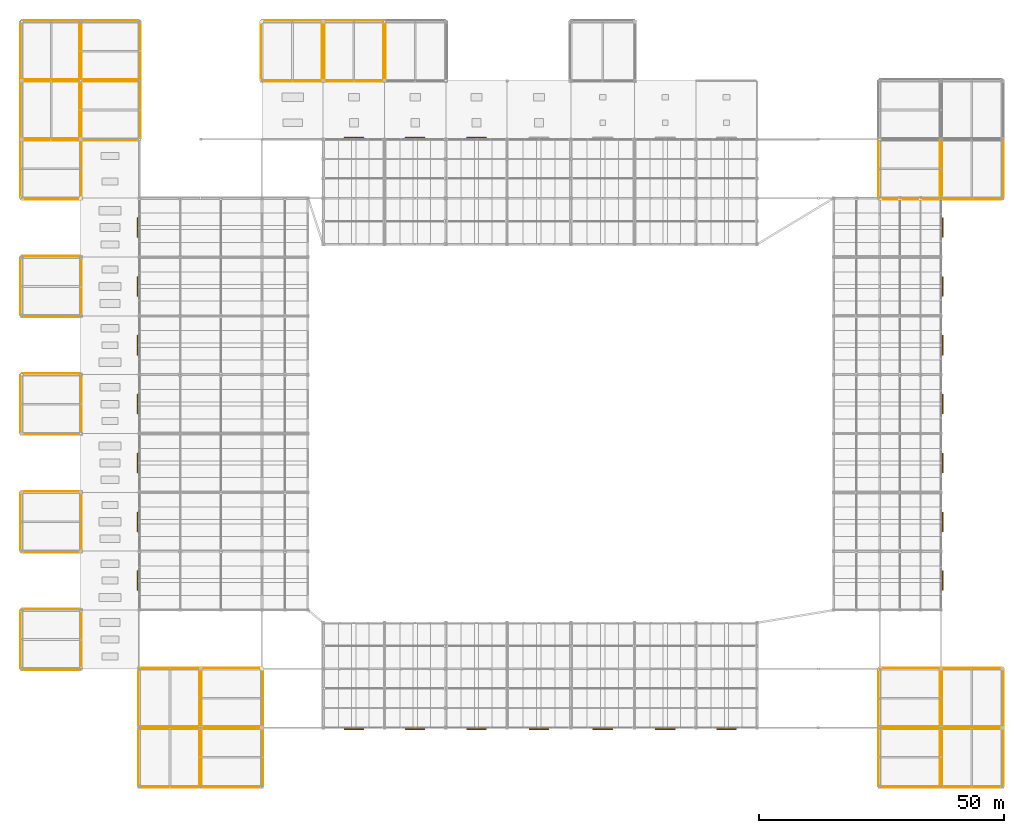
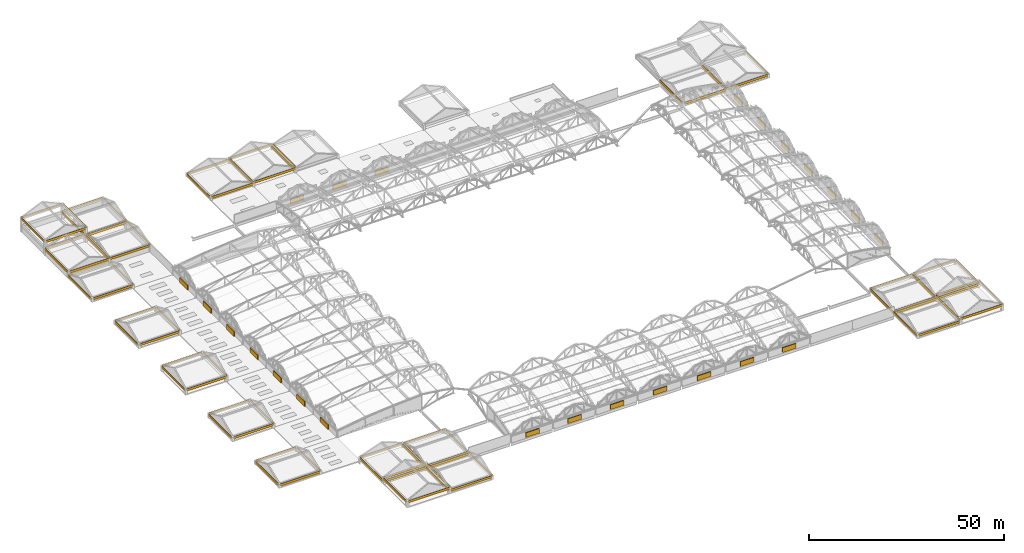
# One storey, part 116 of 117: 83 coverings, 24 shading devices.
"""IFC4 building model written with IfcOpenShell, lengths in metres."""

from ifc_helpers import new_model, si_unit, direction, frame, origin, origin_2d, place, context, subcontext, project, spatial, rectangle, extrude, material, layer, layer_set, type_object, element, save


model = new_model("IFC4")

# Units and contexts
model_context = context("Model", 3, precision=1e-05, world=origin(), true_north=direction((0.0, 1.0)))
body_context = subcontext(model_context, "Body", "Model", "MODEL_VIEW")
ifc_project = project(units=[si_unit("LENGTHUNIT", "METRE"), si_unit("AREAUNIT", "SQUARE_METRE"), si_unit("VOLUMEUNIT", "CUBIC_METRE"), si_unit("PLANEANGLEUNIT", "RADIAN"), si_unit("MASSUNIT", "GRAM", prefix="KILO")], contexts=[model_context])

# Site, building, storey
site_placement = place(None, origin())
site = spatial("IfcSite", under=ifc_project, at=site_placement, CompositionType="ELEMENT")
building_placement = place(site_placement, origin())
building = spatial("IfcBuilding", under=site, at=building_placement, Name="Kazenohara Klinker Stadium", CompositionType="ELEMENT")
storey_placement = place(building_placement, frame((0.0, 0.0, 31.199951171875)))
storey = spatial("IfcBuildingStorey", under=building, at=storey_placement, Name="RF", CompositionType="ELEMENT", Elevation=31.199951171875)

# Coverings
ifc_material_1 = material(Name="Patina copper eaves fascia and acoustic baffle cladding", Category="metal")
ifc_layer = layer(ifc_material_1, 0.10009765625)
ifc_layer_set = layer_set([ifc_layer], Name="Patina copper eaves fascia and acoustic baffle cladding")
covering_type = type_object("IfcCoveringType", Name="COV-CLAD-01", PredefinedType="CLADDING", material=ifc_layer_set)
for number, where, z_axis, x_axis, name in (
    (1, (6.0, 155.780029296875, 3.89013671875), (0.0, 0.0, 1.0), (1.0, 0.0, 0.0), "Patina copper turret eave fascia CL-C1 GT1-NW-S"),
    (2, (6.0, 168.219970703125, 3.89013671875), (0.0, 0.0, 1.0), (1.0, 0.0, 0.0), "Patina copper turret eave fascia CL-C1 GT1-NW-N"),
):
    element("IfcCovering", number, at=place(storey_placement, frame(where, z_axis=z_axis, x_axis=x_axis)), inside=storey, type_object=covering_type, Name=name, PredefinedType="CLADDING", context=body_context, shape_type="SweptSolid", body=[
        extrude(rectangle(XDim=11.800048828125, YDim=0.10009765625, at=origin_2d()), origin(), (0.0, 0.0, 1.0), 0.719970703125),
    ])
for number, where, z_axis, x_axis, name in (
    (3, (-0.219970703125, 162.0, 3.89013671875), (0.0, 0.0, 1.0), (1.0, 0.0, 0.0), "Patina copper turret eave fascia CL-C1 GT1-NW-W"),
    (4, (12.219970703125, 162.0, 3.89013671875), (0.0, 0.0, 1.0), (1.0, 0.0, 0.0), "Patina copper turret eave fascia CL-C1 GT1-NW-E"),
):
    element("IfcCovering", number, at=place(storey_placement, frame(where, z_axis=z_axis, x_axis=x_axis)), inside=storey, type_object=covering_type, Name=name, PredefinedType="CLADDING", context=body_context, shape_type="SweptSolid", body=[
        extrude(rectangle(XDim=0.10009765625, YDim=11.800048828125, at=origin_2d()), origin(), (0.0, 0.0, 1.0), 0.719970703125),
    ])
for number, where, z_axis, x_axis, name in (
    (5, (18.0, 155.780029296875, 1.58984375), (0.0, 0.0, 1.0), (1.0, 0.0, 0.0), "Patina copper turret eave fascia CL-C1 GT1-NE-S"),
    (6, (18.0, 168.219970703125, 1.58984375), (0.0, 0.0, 1.0), (1.0, 0.0, 0.0), "Patina copper turret eave fascia CL-C1 GT1-NE-N"),
):
    element("IfcCovering", number, at=place(storey_placement, frame(where, z_axis=z_axis, x_axis=x_axis)), inside=storey, type_object=covering_type, Name=name, PredefinedType="CLADDING", context=body_context, shape_type="SweptSolid", body=[
        extrude(rectangle(XDim=11.800048828125, YDim=0.10009765625, at=origin_2d()), origin(), (0.0, 0.0, 1.0), 0.719970703125),
    ])
for number, where, z_axis, x_axis, name in (
    (7, (11.780029296875, 162.0, 1.58984375), (0.0, 0.0, 1.0), (1.0, 0.0, 0.0), "Patina copper turret eave fascia CL-C1 GT1-NE-W"),
    (8, (24.219970703125, 162.0, 1.58984375), (0.0, 0.0, 1.0), (1.0, 0.0, 0.0), "Patina copper turret eave fascia CL-C1 GT1-NE-E"),
):
    element("IfcCovering", number, at=place(storey_placement, frame(where, z_axis=z_axis, x_axis=x_axis)), inside=storey, type_object=covering_type, Name=name, PredefinedType="CLADDING", context=body_context, shape_type="SweptSolid", body=[
        extrude(rectangle(XDim=0.10009765625, YDim=11.800048828125, at=origin_2d()), origin(), (0.0, 0.0, 1.0), 0.719970703125),
    ])
for number, where, z_axis, x_axis, name in (
    (9, (6.0, 143.780029296875, 1.58984375), (0.0, 0.0, 1.0), (1.0, 0.0, 0.0), "Patina copper turret eave fascia CL-C1 GT1-SW-S"),
    (10, (6.0, 156.219970703125, 1.58984375), (0.0, 0.0, 1.0), (1.0, 0.0, 0.0), "Patina copper turret eave fascia CL-C1 GT1-SW-N"),
):
    element("IfcCovering", number, at=place(storey_placement, frame(where, z_axis=z_axis, x_axis=x_axis)), inside=storey, type_object=covering_type, Name=name, PredefinedType="CLADDING", context=body_context, shape_type="SweptSolid", body=[
        extrude(rectangle(XDim=11.800048828125, YDim=0.10009765625, at=origin_2d()), origin(), (0.0, 0.0, 1.0), 0.719970703125),
    ])
for number, where, z_axis, x_axis, name in (
    (11, (-0.219970703125, 150.0, 1.58984375), (0.0, 0.0, 1.0), (1.0, 0.0, 0.0), "Patina copper turret eave fascia CL-C1 GT1-SW-W"),
    (12, (12.219970703125, 150.0, 1.58984375), (0.0, 0.0, 1.0), (1.0, 0.0, 0.0), "Patina copper turret eave fascia CL-C1 GT1-SW-E"),
):
    element("IfcCovering", number, at=place(storey_placement, frame(where, z_axis=z_axis, x_axis=x_axis)), inside=storey, type_object=covering_type, Name=name, PredefinedType="CLADDING", context=body_context, shape_type="SweptSolid", body=[
        extrude(rectangle(XDim=0.10009765625, YDim=11.800048828125, at=origin_2d()), origin(), (0.0, 0.0, 1.0), 0.719970703125),
    ])
for number, where, z_axis, x_axis, name in (
    (13, (18.0, 143.780029296875, 1.58984375), (0.0, 0.0, 1.0), (1.0, 0.0, 0.0), "Patina copper turret eave fascia CL-C1 GT1-SE-S"),
    (14, (18.0, 156.219970703125, 1.58984375), (0.0, 0.0, 1.0), (1.0, 0.0, 0.0), "Patina copper turret eave fascia CL-C1 GT1-SE-N"),
):
    element("IfcCovering", number, at=place(storey_placement, frame(where, z_axis=z_axis, x_axis=x_axis)), inside=storey, type_object=covering_type, Name=name, PredefinedType="CLADDING", context=body_context, shape_type="SweptSolid", body=[
        extrude(rectangle(XDim=11.800048828125, YDim=0.10009765625, at=origin_2d()), origin(), (0.0, 0.0, 1.0), 0.719970703125),
    ])
for number, where, z_axis, x_axis, name in (
    (15, (11.780029296875, 150.0, 1.58984375), (0.0, 0.0, 1.0), (1.0, 0.0, 0.0), "Patina copper turret eave fascia CL-C1 GT1-SE-W"),
    (16, (24.219970703125, 150.0, 1.58984375), (0.0, 0.0, 1.0), (1.0, 0.0, 0.0), "Patina copper turret eave fascia CL-C1 GT1-SE-E"),
):
    element("IfcCovering", number, at=place(storey_placement, frame(where, z_axis=z_axis, x_axis=x_axis)), inside=storey, type_object=covering_type, Name=name, PredefinedType="CLADDING", context=body_context, shape_type="SweptSolid", body=[
        extrude(rectangle(XDim=0.10009765625, YDim=11.800048828125, at=origin_2d()), origin(), (0.0, 0.0, 1.0), 0.719970703125),
    ])
for number, where, z_axis, x_axis, name in (
    (17, (30.25, 11.780029296875, 1.39013671875), (0.0, 0.0, 1.0), (1.0, 0.0, 0.0), "Patina copper turret eave fascia CL-C1 GT2-SW-S"),
    (18, (30.25, 24.219970703125, 1.39013671875), (0.0, 0.0, 1.0), (1.0, 0.0, 0.0), "Patina copper turret eave fascia CL-C1 GT2-SW-N"),
):
    element("IfcCovering", number, at=place(storey_placement, frame(where, z_axis=z_axis, x_axis=x_axis)), inside=storey, type_object=covering_type, Name=name, PredefinedType="CLADDING", context=body_context, shape_type="SweptSolid", body=[
        extrude(rectangle(XDim=12.300048828125, YDim=0.10009765625, at=origin_2d()), origin(), (0.0, 0.0, 1.0), 0.719970703125),
    ])
for number, where, z_axis, x_axis, name in (
    (19, (23.780029296875, 18.0, 1.39013671875), (0.0, 0.0, 1.0), (1.0, 0.0, 0.0), "Patina copper turret eave fascia CL-C1 GT2-SW-W"),
    (20, (36.719970703125, 18.0, 1.39013671875), (0.0, 0.0, 1.0), (1.0, 0.0, 0.0), "Patina copper turret eave fascia CL-C1 GT2-SW-E"),
):
    element("IfcCovering", number, at=place(storey_placement, frame(where, z_axis=z_axis, x_axis=x_axis)), inside=storey, type_object=covering_type, Name=name, PredefinedType="CLADDING", context=body_context, shape_type="SweptSolid", body=[
        extrude(rectangle(XDim=0.10009765625, YDim=11.800048828125, at=origin_2d()), origin(), (0.0, 0.0, 1.0), 0.719970703125),
    ])
for number, where, z_axis, x_axis, name in (
    (21, (42.75, 11.780029296875, 0.58984375), (0.0, 0.0, 1.0), (1.0, 0.0, 0.0), "Patina copper turret eave fascia CL-C1 GT2-SE-S"),
    (22, (42.75, 24.219970703125, 0.58984375), (0.0, 0.0, 1.0), (1.0, 0.0, 0.0), "Patina copper turret eave fascia CL-C1 GT2-SE-N"),
):
    element("IfcCovering", number, at=place(storey_placement, frame(where, z_axis=z_axis, x_axis=x_axis)), inside=storey, type_object=covering_type, Name=name, PredefinedType="CLADDING", context=body_context, shape_type="SweptSolid", body=[
        extrude(rectangle(XDim=12.300048828125, YDim=0.10009765625, at=origin_2d()), origin(), (0.0, 0.0, 1.0), 0.719970703125),
    ])
for number, where, z_axis, x_axis, name in (
    (23, (36.280029296875, 18.0, 0.58984375), (0.0, 0.0, 1.0), (1.0, 0.0, 0.0), "Patina copper turret eave fascia CL-C1 GT2-SE-W"),
    (24, (49.219970703125, 18.0, 0.58984375), (0.0, 0.0, 1.0), (1.0, 0.0, 0.0), "Patina copper turret eave fascia CL-C1 GT2-SE-E"),
):
    element("IfcCovering", number, at=place(storey_placement, frame(where, z_axis=z_axis, x_axis=x_axis)), inside=storey, type_object=covering_type, Name=name, PredefinedType="CLADDING", context=body_context, shape_type="SweptSolid", body=[
        extrude(rectangle(XDim=0.10009765625, YDim=11.800048828125, at=origin_2d()), origin(), (0.0, 0.0, 1.0), 0.719970703125),
    ])
for number, where, z_axis, x_axis, name in (
    (25, (30.25, 23.780029296875, 0.58984375), (0.0, 0.0, 1.0), (1.0, 0.0, 0.0), "Patina copper turret eave fascia CL-C1 GT2-NW-S"),
    (26, (30.25, 36.219970703125, 0.58984375), (0.0, 0.0, 1.0), (1.0, 0.0, 0.0), "Patina copper turret eave fascia CL-C1 GT2-NW-N"),
):
    element("IfcCovering", number, at=place(storey_placement, frame(where, z_axis=z_axis, x_axis=x_axis)), inside=storey, type_object=covering_type, Name=name, PredefinedType="CLADDING", context=body_context, shape_type="SweptSolid", body=[
        extrude(rectangle(XDim=12.300048828125, YDim=0.10009765625, at=origin_2d()), origin(), (0.0, 0.0, 1.0), 0.719970703125),
    ])
for number, where, z_axis, x_axis, name in (
    (27, (23.780029296875, 30.0, 0.58984375), (0.0, 0.0, 1.0), (1.0, 0.0, 0.0), "Patina copper turret eave fascia CL-C1 GT2-NW-W"),
    (28, (36.719970703125, 30.0, 0.58984375), (0.0, 0.0, 1.0), (1.0, 0.0, 0.0), "Patina copper turret eave fascia CL-C1 GT2-NW-E"),
):
    element("IfcCovering", number, at=place(storey_placement, frame(where, z_axis=z_axis, x_axis=x_axis)), inside=storey, type_object=covering_type, Name=name, PredefinedType="CLADDING", context=body_context, shape_type="SweptSolid", body=[
        extrude(rectangle(XDim=0.10009765625, YDim=11.800048828125, at=origin_2d()), origin(), (0.0, 0.0, 1.0), 0.719970703125),
    ])
for number, where, z_axis, x_axis, name in (
    (29, (42.75, 23.780029296875, 0.39013671875), (0.0, 0.0, 1.0), (1.0, 0.0, 0.0), "Patina copper turret eave fascia CL-C1 GT2-NE-S"),
    (30, (42.75, 36.219970703125, 0.39013671875), (0.0, 0.0, 1.0), (1.0, 0.0, 0.0), "Patina copper turret eave fascia CL-C1 GT2-NE-N"),
):
    element("IfcCovering", number, at=place(storey_placement, frame(where, z_axis=z_axis, x_axis=x_axis)), inside=storey, type_object=covering_type, Name=name, PredefinedType="CLADDING", context=body_context, shape_type="SweptSolid", body=[
        extrude(rectangle(XDim=12.300048828125, YDim=0.10009765625, at=origin_2d()), origin(), (0.0, 0.0, 1.0), 0.719970703125),
    ])
for number, where, z_axis, x_axis, name in (
    (31, (36.280029296875, 30.0, 0.39013671875), (0.0, 0.0, 1.0), (1.0, 0.0, 0.0), "Patina copper turret eave fascia CL-C1 GT2-NE-W"),
    (32, (49.219970703125, 30.0, 0.39013671875), (0.0, 0.0, 1.0), (1.0, 0.0, 0.0), "Patina copper turret eave fascia CL-C1 GT2-NE-E"),
):
    element("IfcCovering", number, at=place(storey_placement, frame(where, z_axis=z_axis, x_axis=x_axis)), inside=storey, type_object=covering_type, Name=name, PredefinedType="CLADDING", context=body_context, shape_type="SweptSolid", body=[
        extrude(rectangle(XDim=0.10009765625, YDim=11.800048828125, at=origin_2d()), origin(), (0.0, 0.0, 1.0), 0.719970703125),
    ])
covering_1_placement = place(storey_placement, frame((193.75, 131.780029296875, 0.58984375), z_axis=(0.0, 0.0, 1.0), x_axis=(1.0, 0.0, 0.0)))
element("IfcCovering", 33, at=covering_1_placement, inside=storey, type_object=covering_type, Name="Patina copper turret eave fascia CL-C1 GT3-SE-S", PredefinedType="CLADDING", context=body_context, shape_type="SweptSolid", body=[
    extrude(rectangle(XDim=12.300048828125, YDim=0.10009765625, at=origin_2d()), origin(), (0.0, 0.0, 1.0), 0.719970703125),
])
for number, where, z_axis, x_axis, name in (
    (34, (187.280029296875, 138.0, 0.58984375), (0.0, 0.0, 1.0), (1.0, 0.0, 0.0), "Patina copper turret eave fascia CL-C1 GT3-SE-W"),
    (35, (200.219970703125, 138.0, 0.58984375), (0.0, 0.0, 1.0), (1.0, 0.0, 0.0), "Patina copper turret eave fascia CL-C1 GT3-SE-E"),
):
    element("IfcCovering", number, at=place(storey_placement, frame(where, z_axis=z_axis, x_axis=x_axis)), inside=storey, type_object=covering_type, Name=name, PredefinedType="CLADDING", context=body_context, shape_type="SweptSolid", body=[
        extrude(rectangle(XDim=0.10009765625, YDim=11.800048828125, at=origin_2d()), origin(), (0.0, 0.0, 1.0), 0.719970703125),
    ])
covering_2_placement = place(storey_placement, frame((181.25, 131.780029296875, 0.39013671875), z_axis=(0.0, 0.0, 1.0), x_axis=(1.0, 0.0, 0.0)))
element("IfcCovering", 36, at=covering_2_placement, inside=storey, type_object=covering_type, Name="Patina copper turret eave fascia CL-C1 GT3-SW-S", PredefinedType="CLADDING", context=body_context, shape_type="SweptSolid", body=[
    extrude(rectangle(XDim=12.300048828125, YDim=0.10009765625, at=origin_2d()), origin(), (0.0, 0.0, 1.0), 0.719970703125),
])
for number, where, z_axis, x_axis, name in (
    (37, (174.780029296875, 138.0, 0.39013671875), (0.0, 0.0, 1.0), (1.0, 0.0, 0.0), "Patina copper turret eave fascia CL-C1 GT3-SW-W"),
    (38, (187.719970703125, 138.0, 0.39013671875), (0.0, 0.0, 1.0), (1.0, 0.0, 0.0), "Patina copper turret eave fascia CL-C1 GT3-SW-E"),
):
    element("IfcCovering", number, at=place(storey_placement, frame(where, z_axis=z_axis, x_axis=x_axis)), inside=storey, type_object=covering_type, Name=name, PredefinedType="CLADDING", context=body_context, shape_type="SweptSolid", body=[
        extrude(rectangle(XDim=0.10009765625, YDim=11.800048828125, at=origin_2d()), origin(), (0.0, 0.0, 1.0), 0.719970703125),
    ])
for number, where, z_axis, x_axis, name in (
    (39, (193.75, 11.780029296875, 1.39013671875), (0.0, 0.0, 1.0), (1.0, 0.0, 0.0), "Patina copper turret eave fascia CL-C1 GT4-SE-S"),
    (40, (193.75, 24.219970703125, 1.39013671875), (0.0, 0.0, 1.0), (1.0, 0.0, 0.0), "Patina copper turret eave fascia CL-C1 GT4-SE-N"),
):
    element("IfcCovering", number, at=place(storey_placement, frame(where, z_axis=z_axis, x_axis=x_axis)), inside=storey, type_object=covering_type, Name=name, PredefinedType="CLADDING", context=body_context, shape_type="SweptSolid", body=[
        extrude(rectangle(XDim=12.300048828125, YDim=0.10009765625, at=origin_2d()), origin(), (0.0, 0.0, 1.0), 0.719970703125),
    ])
for number, where, z_axis, x_axis, name in (
    (41, (187.280029296875, 18.0, 1.39013671875), (0.0, 0.0, 1.0), (1.0, 0.0, 0.0), "Patina copper turret eave fascia CL-C1 GT4-SE-W"),
    (42, (200.219970703125, 18.0, 1.39013671875), (0.0, 0.0, 1.0), (1.0, 0.0, 0.0), "Patina copper turret eave fascia CL-C1 GT4-SE-E"),
):
    element("IfcCovering", number, at=place(storey_placement, frame(where, z_axis=z_axis, x_axis=x_axis)), inside=storey, type_object=covering_type, Name=name, PredefinedType="CLADDING", context=body_context, shape_type="SweptSolid", body=[
        extrude(rectangle(XDim=0.10009765625, YDim=11.800048828125, at=origin_2d()), origin(), (0.0, 0.0, 1.0), 0.719970703125),
    ])
for number, where, z_axis, x_axis, name in (
    (43, (181.25, 11.780029296875, 0.58984375), (0.0, 0.0, 1.0), (1.0, 0.0, 0.0), "Patina copper turret eave fascia CL-C1 GT4-SW-S"),
    (44, (181.25, 24.219970703125, 0.58984375), (0.0, 0.0, 1.0), (1.0, 0.0, 0.0), "Patina copper turret eave fascia CL-C1 GT4-SW-N"),
):
    element("IfcCovering", number, at=place(storey_placement, frame(where, z_axis=z_axis, x_axis=x_axis)), inside=storey, type_object=covering_type, Name=name, PredefinedType="CLADDING", context=body_context, shape_type="SweptSolid", body=[
        extrude(rectangle(XDim=12.300048828125, YDim=0.10009765625, at=origin_2d()), origin(), (0.0, 0.0, 1.0), 0.719970703125),
    ])
for number, where, z_axis, x_axis, name in (
    (45, (174.780029296875, 18.0, 0.58984375), (0.0, 0.0, 1.0), (1.0, 0.0, 0.0), "Patina copper turret eave fascia CL-C1 GT4-SW-W"),
    (46, (187.719970703125, 18.0, 0.58984375), (0.0, 0.0, 1.0), (1.0, 0.0, 0.0), "Patina copper turret eave fascia CL-C1 GT4-SW-E"),
):
    element("IfcCovering", number, at=place(storey_placement, frame(where, z_axis=z_axis, x_axis=x_axis)), inside=storey, type_object=covering_type, Name=name, PredefinedType="CLADDING", context=body_context, shape_type="SweptSolid", body=[
        extrude(rectangle(XDim=0.10009765625, YDim=11.800048828125, at=origin_2d()), origin(), (0.0, 0.0, 1.0), 0.719970703125),
    ])
for number, where, z_axis, x_axis, name in (
    (47, (193.75, 23.780029296875, 0.58984375), (0.0, 0.0, 1.0), (1.0, 0.0, 0.0), "Patina copper turret eave fascia CL-C1 GT4-NE-S"),
    (48, (193.75, 36.219970703125, 0.58984375), (0.0, 0.0, 1.0), (1.0, 0.0, 0.0), "Patina copper turret eave fascia CL-C1 GT4-NE-N"),
):
    element("IfcCovering", number, at=place(storey_placement, frame(where, z_axis=z_axis, x_axis=x_axis)), inside=storey, type_object=covering_type, Name=name, PredefinedType="CLADDING", context=body_context, shape_type="SweptSolid", body=[
        extrude(rectangle(XDim=12.300048828125, YDim=0.10009765625, at=origin_2d()), origin(), (0.0, 0.0, 1.0), 0.719970703125),
    ])
for number, where, z_axis, x_axis, name in (
    (49, (187.280029296875, 30.0, 0.58984375), (0.0, 0.0, 1.0), (1.0, 0.0, 0.0), "Patina copper turret eave fascia CL-C1 GT4-NE-W"),
    (50, (200.219970703125, 30.0, 0.58984375), (0.0, 0.0, 1.0), (1.0, 0.0, 0.0), "Patina copper turret eave fascia CL-C1 GT4-NE-E"),
):
    element("IfcCovering", number, at=place(storey_placement, frame(where, z_axis=z_axis, x_axis=x_axis)), inside=storey, type_object=covering_type, Name=name, PredefinedType="CLADDING", context=body_context, shape_type="SweptSolid", body=[
        extrude(rectangle(XDim=0.10009765625, YDim=11.800048828125, at=origin_2d()), origin(), (0.0, 0.0, 1.0), 0.719970703125),
    ])
for number, where, z_axis, x_axis, name in (
    (51, (181.25, 23.780029296875, 0.39013671875), (0.0, 0.0, 1.0), (1.0, 0.0, 0.0), "Patina copper turret eave fascia CL-C1 GT4-NW-S"),
    (52, (181.25, 36.219970703125, 0.39013671875), (0.0, 0.0, 1.0), (1.0, 0.0, 0.0), "Patina copper turret eave fascia CL-C1 GT4-NW-N"),
):
    element("IfcCovering", number, at=place(storey_placement, frame(where, z_axis=z_axis, x_axis=x_axis)), inside=storey, type_object=covering_type, Name=name, PredefinedType="CLADDING", context=body_context, shape_type="SweptSolid", body=[
        extrude(rectangle(XDim=12.300048828125, YDim=0.10009765625, at=origin_2d()), origin(), (0.0, 0.0, 1.0), 0.719970703125),
    ])
for number, where, z_axis, x_axis, name in (
    (53, (174.780029296875, 30.0, 0.39013671875), (0.0, 0.0, 1.0), (1.0, 0.0, 0.0), "Patina copper turret eave fascia CL-C1 GT4-NW-W"),
    (54, (187.719970703125, 30.0, 0.39013671875), (0.0, 0.0, 1.0), (1.0, 0.0, 0.0), "Patina copper turret eave fascia CL-C1 GT4-NW-E"),
):
    element("IfcCovering", number, at=place(storey_placement, frame(where, z_axis=z_axis, x_axis=x_axis)), inside=storey, type_object=covering_type, Name=name, PredefinedType="CLADDING", context=body_context, shape_type="SweptSolid", body=[
        extrude(rectangle(XDim=0.10009765625, YDim=11.800048828125, at=origin_2d()), origin(), (0.0, 0.0, 1.0), 0.719970703125),
    ])
for number, where, z_axis, x_axis, name in (
    (55, (6.0, 35.780029296875, 0.490234375), (0.0, 0.0, 1.0), (1.0, 0.0, 0.0), "Patina copper turret eave fascia CL-C1 WBST-03-S"),
    (56, (6.0, 48.219970703125, 0.490234375), (0.0, 0.0, 1.0), (1.0, 0.0, 0.0), "Patina copper turret eave fascia CL-C1 WBST-03-N"),
):
    element("IfcCovering", number, at=place(storey_placement, frame(where, z_axis=z_axis, x_axis=x_axis)), inside=storey, type_object=covering_type, Name=name, PredefinedType="CLADDING", context=body_context, shape_type="SweptSolid", body=[
        extrude(rectangle(XDim=11.800048828125, YDim=0.10009765625, at=origin_2d()), origin(), (0.0, 0.0, 1.0), 0.719970703125),
    ])
for number, where, z_axis, x_axis, name in (
    (57, (-0.219970703125, 42.0, 0.490234375), (0.0, 0.0, 1.0), (1.0, 0.0, 0.0), "Patina copper turret eave fascia CL-C1 WBST-03-W"),
    (58, (12.219970703125, 42.0, 0.490234375), (0.0, 0.0, 1.0), (1.0, 0.0, 0.0), "Patina copper turret eave fascia CL-C1 WBST-03-E"),
):
    element("IfcCovering", number, at=place(storey_placement, frame(where, z_axis=z_axis, x_axis=x_axis)), inside=storey, type_object=covering_type, Name=name, PredefinedType="CLADDING", context=body_context, shape_type="SweptSolid", body=[
        extrude(rectangle(XDim=0.10009765625, YDim=11.800048828125, at=origin_2d()), origin(), (0.0, 0.0, 1.0), 0.719970703125),
    ])
for number, where, z_axis, x_axis, name in (
    (59, (6.0, 59.780029296875, 0.68994140625), (0.0, 0.0, 1.0), (1.0, 0.0, 0.0), "Patina copper turret eave fascia CL-C1 WBST-05-S"),
    (60, (6.0, 72.219970703125, 0.68994140625), (0.0, 0.0, 1.0), (1.0, 0.0, 0.0), "Patina copper turret eave fascia CL-C1 WBST-05-N"),
):
    element("IfcCovering", number, at=place(storey_placement, frame(where, z_axis=z_axis, x_axis=x_axis)), inside=storey, type_object=covering_type, Name=name, PredefinedType="CLADDING", context=body_context, shape_type="SweptSolid", body=[
        extrude(rectangle(XDim=11.800048828125, YDim=0.10009765625, at=origin_2d()), origin(), (0.0, 0.0, 1.0), 0.719970703125),
    ])
for number, where, z_axis, x_axis, name in (
    (61, (-0.219970703125, 66.0, 0.68994140625), (0.0, 0.0, 1.0), (1.0, 0.0, 0.0), "Patina copper turret eave fascia CL-C1 WBST-05-W"),
    (62, (12.219970703125, 66.0, 0.68994140625), (0.0, 0.0, 1.0), (1.0, 0.0, 0.0), "Patina copper turret eave fascia CL-C1 WBST-05-E"),
):
    element("IfcCovering", number, at=place(storey_placement, frame(where, z_axis=z_axis, x_axis=x_axis)), inside=storey, type_object=covering_type, Name=name, PredefinedType="CLADDING", context=body_context, shape_type="SweptSolid", body=[
        extrude(rectangle(XDim=0.10009765625, YDim=11.800048828125, at=origin_2d()), origin(), (0.0, 0.0, 1.0), 0.719970703125),
    ])
for number, where, z_axis, x_axis, name in (
    (63, (6.0, 83.780029296875, 1.08984375), (0.0, 0.0, 1.0), (1.0, 0.0, 0.0), "Patina copper turret eave fascia CL-C1 WPAV-07-S"),
    (64, (6.0, 96.219970703125, 1.08984375), (0.0, 0.0, 1.0), (1.0, 0.0, 0.0), "Patina copper turret eave fascia CL-C1 WPAV-07-N"),
):
    element("IfcCovering", number, at=place(storey_placement, frame(where, z_axis=z_axis, x_axis=x_axis)), inside=storey, type_object=covering_type, Name=name, PredefinedType="CLADDING", context=body_context, shape_type="SweptSolid", body=[
        extrude(rectangle(XDim=11.800048828125, YDim=0.10009765625, at=origin_2d()), origin(), (0.0, 0.0, 1.0), 0.719970703125),
    ])
for number, where, z_axis, x_axis, name in (
    (65, (-0.219970703125, 90.0, 1.08984375), (0.0, 0.0, 1.0), (1.0, 0.0, 0.0), "Patina copper turret eave fascia CL-C1 WPAV-07-W"),
    (66, (12.219970703125, 90.0, 1.08984375), (0.0, 0.0, 1.0), (1.0, 0.0, 0.0), "Patina copper turret eave fascia CL-C1 WPAV-07-E"),
):
    element("IfcCovering", number, at=place(storey_placement, frame(where, z_axis=z_axis, x_axis=x_axis)), inside=storey, type_object=covering_type, Name=name, PredefinedType="CLADDING", context=body_context, shape_type="SweptSolid", body=[
        extrude(rectangle(XDim=0.10009765625, YDim=11.800048828125, at=origin_2d()), origin(), (0.0, 0.0, 1.0), 0.719970703125),
    ])
for number, where, z_axis, x_axis, name in (
    (67, (6.0, 107.780029296875, 0.68994140625), (0.0, 0.0, 1.0), (1.0, 0.0, 0.0), "Patina copper turret eave fascia CL-C1 WBST-09-S"),
    (68, (6.0, 120.219970703125, 0.68994140625), (0.0, 0.0, 1.0), (1.0, 0.0, 0.0), "Patina copper turret eave fascia CL-C1 WBST-09-N"),
):
    element("IfcCovering", number, at=place(storey_placement, frame(where, z_axis=z_axis, x_axis=x_axis)), inside=storey, type_object=covering_type, Name=name, PredefinedType="CLADDING", context=body_context, shape_type="SweptSolid", body=[
        extrude(rectangle(XDim=11.800048828125, YDim=0.10009765625, at=origin_2d()), origin(), (0.0, 0.0, 1.0), 0.719970703125),
    ])
for number, where, z_axis, x_axis, name in (
    (69, (-0.219970703125, 114.0, 0.68994140625), (0.0, 0.0, 1.0), (1.0, 0.0, 0.0), "Patina copper turret eave fascia CL-C1 WBST-09-W"),
    (70, (12.219970703125, 114.0, 0.68994140625), (0.0, 0.0, 1.0), (1.0, 0.0, 0.0), "Patina copper turret eave fascia CL-C1 WBST-09-E"),
):
    element("IfcCovering", number, at=place(storey_placement, frame(where, z_axis=z_axis, x_axis=x_axis)), inside=storey, type_object=covering_type, Name=name, PredefinedType="CLADDING", context=body_context, shape_type="SweptSolid", body=[
        extrude(rectangle(XDim=0.10009765625, YDim=11.800048828125, at=origin_2d()), origin(), (0.0, 0.0, 1.0), 0.719970703125),
    ])
for number, where, z_axis, x_axis, name in (
    (71, (6.0, 131.780029296875, 0.490234375), (0.0, 0.0, 1.0), (1.0, 0.0, 0.0), "Patina copper turret eave fascia CL-C1 WBST-11-S"),
    (72, (6.0, 144.219970703125, 0.490234375), (0.0, 0.0, 1.0), (1.0, 0.0, 0.0), "Patina copper turret eave fascia CL-C1 WBST-11-N"),
):
    element("IfcCovering", number, at=place(storey_placement, frame(where, z_axis=z_axis, x_axis=x_axis)), inside=storey, type_object=covering_type, Name=name, PredefinedType="CLADDING", context=body_context, shape_type="SweptSolid", body=[
        extrude(rectangle(XDim=11.800048828125, YDim=0.10009765625, at=origin_2d()), origin(), (0.0, 0.0, 1.0), 0.719970703125),
    ])
for number, where, z_axis, x_axis, name in (
    (73, (-0.219970703125, 138.0, 0.490234375), (0.0, 0.0, 1.0), (1.0, 0.0, 0.0), "Patina copper turret eave fascia CL-C1 WBST-11-W"),
    (74, (12.219970703125, 138.0, 0.490234375), (0.0, 0.0, 1.0), (1.0, 0.0, 0.0), "Patina copper turret eave fascia CL-C1 WBST-11-E"),
):
    element("IfcCovering", number, at=place(storey_placement, frame(where, z_axis=z_axis, x_axis=x_axis)), inside=storey, type_object=covering_type, Name=name, PredefinedType="CLADDING", context=body_context, shape_type="SweptSolid", body=[
        extrude(rectangle(XDim=0.10009765625, YDim=11.800048828125, at=origin_2d()), origin(), (0.0, 0.0, 1.0), 0.719970703125),
    ])
for number, where, z_axis, x_axis, name in (
    (75, (55.25, 155.780029296875, 0.490234375), (0.0, 0.0, 1.0), (1.0, 0.0, 0.0), "Patina copper turret eave fascia CL-C1 NBST-04-S"),
    (76, (55.25, 168.219970703125, 0.490234375), (0.0, 0.0, 1.0), (1.0, 0.0, 0.0), "Patina copper turret eave fascia CL-C1 NBST-04-N"),
):
    element("IfcCovering", number, at=place(storey_placement, frame(where, z_axis=z_axis, x_axis=x_axis)), inside=storey, type_object=covering_type, Name=name, PredefinedType="CLADDING", context=body_context, shape_type="SweptSolid", body=[
        extrude(rectangle(XDim=12.300048828125, YDim=0.10009765625, at=origin_2d()), origin(), (0.0, 0.0, 1.0), 0.719970703125),
    ])
for number, where, z_axis, x_axis, name in (
    (77, (48.780029296875, 162.0, 0.490234375), (0.0, 0.0, 1.0), (1.0, 0.0, 0.0), "Patina copper turret eave fascia CL-C1 NBST-04-W"),
    (78, (61.719970703125, 162.0, 0.490234375), (0.0, 0.0, 1.0), (1.0, 0.0, 0.0), "Patina copper turret eave fascia CL-C1 NBST-04-E"),
):
    element("IfcCovering", number, at=place(storey_placement, frame(where, z_axis=z_axis, x_axis=x_axis)), inside=storey, type_object=covering_type, Name=name, PredefinedType="CLADDING", context=body_context, shape_type="SweptSolid", body=[
        extrude(rectangle(XDim=0.10009765625, YDim=11.800048828125, at=origin_2d()), origin(), (0.0, 0.0, 1.0), 0.719970703125),
    ])
for number, where, z_axis, x_axis, name in (
    (79, (67.75, 155.780029296875, 0.89013671875), (0.0, 0.0, 1.0), (1.0, 0.0, 0.0), "Patina copper turret eave fascia CL-C1 NBST-05-S"),
    (80, (67.75, 168.219970703125, 0.89013671875), (0.0, 0.0, 1.0), (1.0, 0.0, 0.0), "Patina copper turret eave fascia CL-C1 NBST-05-N"),
):
    element("IfcCovering", number, at=place(storey_placement, frame(where, z_axis=z_axis, x_axis=x_axis)), inside=storey, type_object=covering_type, Name=name, PredefinedType="CLADDING", context=body_context, shape_type="SweptSolid", body=[
        extrude(rectangle(XDim=12.300048828125, YDim=0.10009765625, at=origin_2d()), origin(), (0.0, 0.0, 1.0), 0.719970703125),
    ])
for number, where, z_axis, x_axis, name in (
    (81, (61.280029296875, 162.0, 0.89013671875), (0.0, 0.0, 1.0), (1.0, 0.0, 0.0), "Patina copper turret eave fascia CL-C1 NBST-05-W"),
    (82, (74.219970703125, 162.0, 0.89013671875), (0.0, 0.0, 1.0), (1.0, 0.0, 0.0), "Patina copper turret eave fascia CL-C1 NBST-05-E"),
    (83, (73.780029296875, 162.0, 0.490234375), (0.0, 0.0, 1.0), (1.0, 0.0, 0.0), "Patina copper turret eave fascia CL-C1 NBST-06-W"),
):
    element("IfcCovering", number, at=place(storey_placement, frame(where, z_axis=z_axis, x_axis=x_axis)), inside=storey, type_object=covering_type, Name=name, PredefinedType="CLADDING", context=body_context, shape_type="SweptSolid", body=[
        extrude(rectangle(XDim=0.10009765625, YDim=11.800048828125, at=origin_2d()), origin(), (0.0, 0.0, 1.0), 0.719970703125),
    ])

# Shading devices
ifc_material_2 = material(Name="Perforated clinker-brick and bronze louvre grille", Category="masonry")
shading_device_type = type_object("IfcShadingDeviceType", Name="SHD-LOUV-02", PredefinedType="JALOUSIE", material=ifc_material_2)
for number, where, z_axis, x_axis, name in (
    (84, (23.719970703125, 54.0, 0.070068359375), (0.0, 0.0, 1.0), (0.0, 1.0, 0.0), "Perforated clinker-brick canopy louvre grille LV02-W-01"),
    (85, (23.719970703125, 66.0, 0.070068359375), (0.0, 0.0, 1.0), (0.0, 1.0, 0.0), "Perforated clinker-brick canopy louvre grille LV02-W-02"),
    (86, (23.719970703125, 78.0, 0.070068359375), (0.0, 0.0, 1.0), (0.0, 1.0, 0.0), "Perforated clinker-brick canopy louvre grille LV02-W-03"),
    (87, (23.719970703125, 90.0, 0.070068359375), (0.0, 0.0, 1.0), (0.0, 1.0, 0.0), "Perforated clinker-brick canopy louvre grille LV02-W-04"),
    (88, (23.719970703125, 102.0, 0.070068359375), (0.0, 0.0, 1.0), (0.0, 1.0, 0.0), "Perforated clinker-brick canopy louvre grille LV02-W-05"),
    (89, (23.719970703125, 114.0, 0.070068359375), (0.0, 0.0, 1.0), (0.0, 1.0, 0.0), "Perforated clinker-brick canopy louvre grille LV02-W-06"),
    (90, (23.719970703125, 126.0, 0.070068359375), (0.0, 0.0, 1.0), (0.0, 1.0, 0.0), "Perforated clinker-brick canopy louvre grille LV02-W-07"),
    (91, (187.780029296875, 54.0, 0.070068359375), (0.0, 0.0, 1.0), (0.0, 1.0, 0.0), "Perforated clinker-brick canopy louvre grille LV02-E-01"),
    (92, (187.780029296875, 66.0, 0.070068359375), (0.0, 0.0, 1.0), (0.0, 1.0, 0.0), "Perforated clinker-brick canopy louvre grille LV02-E-02"),
    (93, (187.780029296875, 78.0, 0.070068359375), (0.0, 0.0, 1.0), (0.0, 1.0, 0.0), "Perforated clinker-brick canopy louvre grille LV02-E-03"),
    (94, (187.780029296875, 90.0, 0.070068359375), (0.0, 0.0, 1.0), (0.0, 1.0, 0.0), "Perforated clinker-brick canopy louvre grille LV02-E-04"),
    (95, (187.780029296875, 102.0, 0.070068359375), (0.0, 0.0, 1.0), (0.0, 1.0, 0.0), "Perforated clinker-brick canopy louvre grille LV02-E-05"),
    (96, (187.780029296875, 114.0, 0.070068359375), (0.0, 0.0, 1.0), (0.0, 1.0, 0.0), "Perforated clinker-brick canopy louvre grille LV02-E-06"),
    (97, (187.780029296875, 126.0, 0.070068359375), (0.0, 0.0, 1.0), (0.0, 1.0, 0.0), "Perforated clinker-brick canopy louvre grille LV02-E-07"),
    (98, (67.75, 144.280029296875, 0.070068359375), (0.0, 0.0, 1.0), (1.0, 0.0, 0.0), "Perforated clinker-brick canopy louvre grille LV02-N-01"),
    (99, (80.25, 144.280029296875, 0.070068359375), (0.0, 0.0, 1.0), (1.0, 0.0, 0.0), "Perforated clinker-brick canopy louvre grille LV02-N-02"),
    (100, (92.75, 144.280029296875, 0.070068359375), (0.0, 0.0, 1.0), (1.0, 0.0, 0.0), "Perforated clinker-brick canopy louvre grille LV02-N-03"),
    (101, (67.75, 23.719970703125, 0.070068359375), (0.0, 0.0, 1.0), (1.0, 0.0, 0.0), "Perforated clinker-brick canopy louvre grille LV02-S-01"),
    (102, (80.25, 23.719970703125, 0.070068359375), (0.0, 0.0, 1.0), (1.0, 0.0, 0.0), "Perforated clinker-brick canopy louvre grille LV02-S-02"),
    (103, (92.75, 23.719970703125, 0.070068359375), (0.0, 0.0, 1.0), (1.0, 0.0, 0.0), "Perforated clinker-brick canopy louvre grille LV02-S-03"),
    (104, (105.5, 23.719970703125, 0.070068359375), (0.0, 0.0, 1.0), (1.0, 0.0, 0.0), "Perforated clinker-brick canopy louvre grille LV02-S-04"),
    (105, (118.5, 23.719970703125, 0.070068359375), (0.0, 0.0, 1.0), (1.0, 0.0, 0.0), "Perforated clinker-brick canopy louvre grille LV02-S-05"),
    (106, (131.25, 23.719970703125, 0.070068359375), (0.0, 0.0, 1.0), (1.0, 0.0, 0.0), "Perforated clinker-brick canopy louvre grille LV02-S-06"),
    (107, (143.75, 23.719970703125, 0.070068359375), (0.0, 0.0, 1.0), (1.0, 0.0, 0.0), "Perforated clinker-brick canopy louvre grille LV02-S-07"),
):
    element("IfcShadingDevice", number, at=place(storey_placement, frame(where, z_axis=z_axis, x_axis=x_axis)), inside=storey, type_object=shading_device_type, Name=name, PredefinedType="JALOUSIE", context=body_context, shape_type="SweptSolid", body=[
        extrude(rectangle(XDim=4.0, YDim=0.300048828125, at=origin_2d()), origin(), (0.0, 0.0, 1.0), 1.5),
    ])

save(model, "model.ifc")
